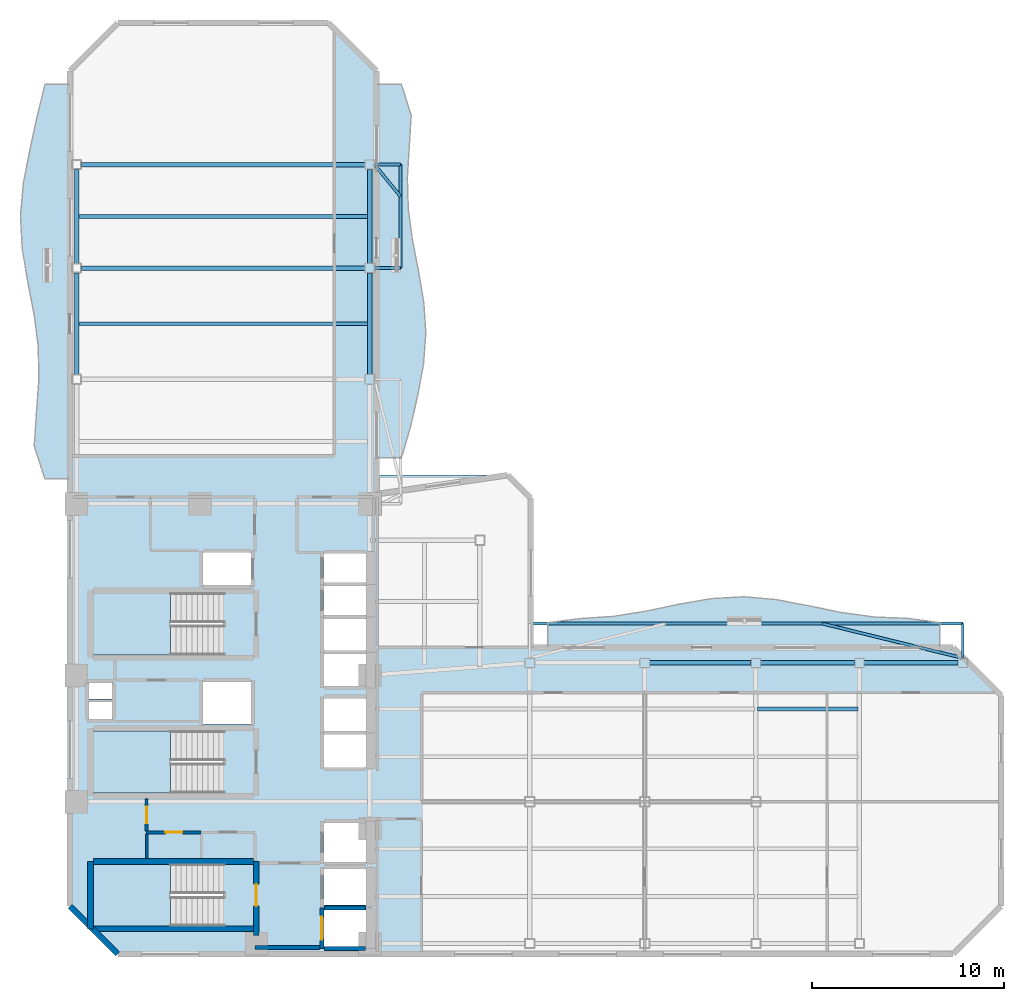
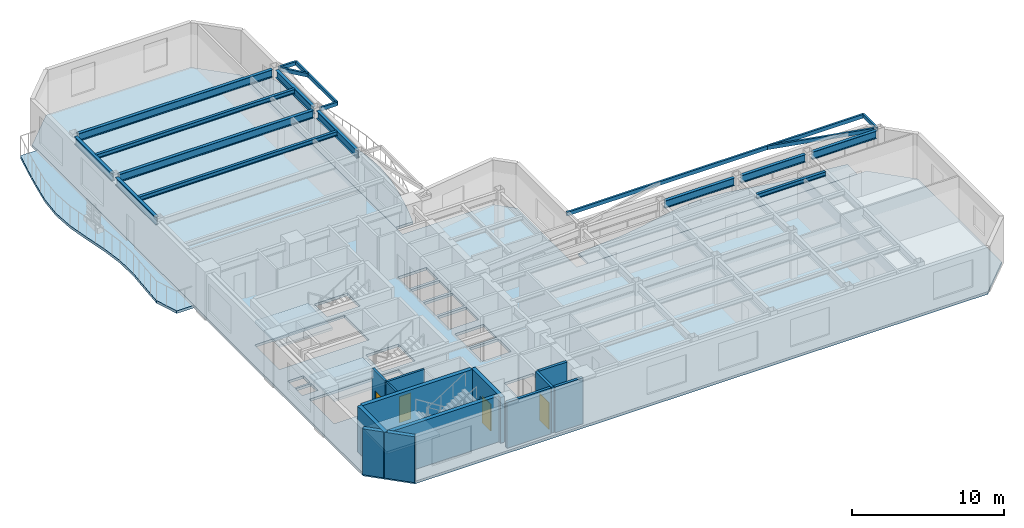
# One storey, part 2 of 9: 19 beams, 12 walls, 7 slabs, 4 doors, 4 openings, 3 elements without a shape of their own.
"""IFC4 building model written with IfcOpenShell, lengths in metres."""

from ifc_helpers import new_model, si_unit, direction, frame, frame_2d, origin, origin_2d, place, context, subcontext, project, spatial, polyline, rectangle, hollow_rectangle, i_section, outline, extrude, material, layer, layer_set, material_profile, profile_set, type_object, element, fill, aggregate, save


model = new_model("IFC4")

# Units and contexts
model_context = context("Model", 3, precision=1e-05, world=origin(), true_north=direction((0.0, 1.0)))
body_context = subcontext(model_context, "Body", "Model", "MODEL_VIEW")
ifc_project = project(units=[si_unit("LENGTHUNIT", "METRE"), si_unit("AREAUNIT", "SQUARE_METRE"), si_unit("VOLUMEUNIT", "CUBIC_METRE"), si_unit("PLANEANGLEUNIT", "RADIAN"), si_unit("MASSUNIT", "GRAM", prefix="KILO")], contexts=[model_context])

# Site, building, storey
site_placement = place(None, origin())
site = spatial("IfcSite", under=ifc_project, at=site_placement, CompositionType="ELEMENT")
building_placement = place(site_placement, origin())
building = spatial("IfcBuilding", under=site, at=building_placement, Name="Mawjaban Terraces University", CompositionType="ELEMENT")
storey_placement = place(building_placement, frame((0.0, 0.0, 146.300048828125)))
storey = spatial("IfcBuildingStorey", under=building, at=storey_placement, Name="L35", CompositionType="ELEMENT", Elevation=146.300048828125)

# Beams
ifc_material_1 = material(Name="Steel EN 10210-1 S355J2H", Category="steel")
ifc_material_profile_1 = material_profile(ifc_material_1, hollow_rectangle(XDim=0.14990234375, YDim=0.300048828125, WallThickness=0.012451171875, at=origin_2d()), Name="RHS300X150X12.5")
ifc_profile_set_1 = profile_set([ifc_material_profile_1], Name="Steel EN 10210-1 S355J2H")
beam_type_1 = type_object("IfcBeamType", Name="BalconyCantileverSpandrel_RHS", PredefinedType="SPANDREL", material=ifc_profile_set_1)
beam_1_placement = place(storey_placement, frame((68.60009765625, 15.449951171875, 3.5400390625), z_axis=(0.0, 1.0, 0.0), x_axis=(-1.0, 0.0, 0.0)))
element("IfcBeam", 1, at=beam_1_placement, inside=storey, type_object=beam_type_1, Name="L35 Exterior Outrigger BAL-L36-N.2", PredefinedType="SPANDREL", context=body_context, shape_type="SweptSolid", body=[
    extrude(hollow_rectangle(XDim=0.14990234375, YDim=0.300048828125, WallThickness=0.012451171875, at=origin_2d()), origin(), (0.0, 0.0, 1.0), 1.800048828125),
])
beam_2_placement = place(storey_placement, frame((46.0, 17.25, 3.5400390625), z_axis=(1.0, 0.0, 0.0), x_axis=(0.0, 1.0, 0.0)))
element("IfcBeam", 2, at=beam_2_placement, inside=storey, type_object=beam_type_1, Name="L35 Exterior Edge Spandrel BAL-L36-N", PredefinedType="SPANDREL", context=body_context, shape_type="SweptSolid", body=[
    extrude(hollow_rectangle(XDim=0.14990234375, YDim=0.300048828125, WallThickness=0.012451171875, at=origin_2d()), origin(), (0.0, 0.0, 1.0), 22.60009765625),
])
beam_3_placement = place(storey_placement, frame((68.60009765625, 15.449951171875, 3.5400390625), z_axis=(-0.971192217353, 0.238297454775, 0.0), x_axis=(-0.238297454775, -0.971192217353, 0.0)))
element("IfcBeam", 3, at=beam_3_placement, inside=storey, type_object=beam_type_1, Name="L35 Exterior Diagonal Strut BAL-L36-N.2", PredefinedType="SPANDREL", context=body_context, shape_type="SweptSolid", body=[
    extrude(hollow_rectangle(XDim=0.14990234375, YDim=0.300048828125, WallThickness=0.012451171875, at=origin_2d()), origin(), (0.0, 0.0, 1.0), 7.5537109375),
])
for number, where, z_axis, x_axis, name in (
    (4, (37.89990234375, 35.800048828125, 3.5400390625), (1.0, 0.0, 0.0), (0.0, 1.0, 0.0), "L35 Exterior Outrigger BAL-L36-E.1"),
    (5, (37.89990234375, 41.199951171875, 3.5400390625), (1.0, 0.0, 0.0), (0.0, 1.0, 0.0), "L35 Exterior Outrigger BAL-L36-E.2"),
):
    element("IfcBeam", number, at=place(storey_placement, frame(where, z_axis=z_axis, x_axis=x_axis)), inside=storey, type_object=beam_type_1, Name=name, PredefinedType="SPANDREL", context=body_context, shape_type="SweptSolid", body=[
        extrude(hollow_rectangle(XDim=0.14990234375, YDim=0.300048828125, WallThickness=0.012451171875, at=origin_2d()), origin(), (0.0, 0.0, 1.0), 1.35009765625),
    ])
beam_4_placement = place(storey_placement, frame((39.25, 35.800048828125, 3.5400390625), z_axis=(0.0, 1.0, 0.0), x_axis=(-1.0, 0.0, 0.0)))
element("IfcBeam", 6, at=beam_4_placement, inside=storey, type_object=beam_type_1, Name="L35 Exterior Edge Spandrel BAL-L36-E", PredefinedType="SPANDREL", context=body_context, shape_type="SweptSolid", body=[
    extrude(hollow_rectangle(XDim=0.14990234375, YDim=0.300048828125, WallThickness=0.012451171875, at=origin_2d()), origin(), (0.0, 0.0, 1.0), 5.39990234375),
])
beam_5_placement = place(storey_placement, frame((37.89990234375, 41.199951171875, 3.5400390625), z_axis=(0.633287678219, -0.773916479096, 0.0), x_axis=(0.773916479096, 0.633287678219, 0.0)))
element("IfcBeam", 7, at=beam_5_placement, inside=storey, type_object=beam_type_1, Name="L35 Exterior Diagonal Strut BAL-L36-E.2", PredefinedType="SPANDREL", context=body_context, shape_type="SweptSolid", body=[
    extrude(hollow_rectangle(XDim=0.14990234375, YDim=0.300048828125, WallThickness=0.012451171875, at=origin_2d()), origin(), (0.0, 0.0, 1.0), 2.1318359375),
])
ifc_material_2 = material(Name="Steel ASTM A572 Grade 50", Category="steel")
ifc_material_profile_2 = material_profile(ifc_material_2, i_section(OverallWidth=0.22998046875, OverallDepth=0.616943359375, WebThickness=0.01318359375, FlangeThickness=0.022216796875, at=origin_2d()), Name="W610X140")
ifc_profile_set_2 = profile_set([ifc_material_profile_2], Name="Steel ASTM A572 Grade 50")
beam_type_2 = type_object("IfcBeamType", Name="Beam_B_W610X140", PredefinedType="BEAM", material=ifc_profile_set_2)
beam_6_placement = place(storey_placement, frame((52.25, 15.199951171875, 3.380859375), z_axis=(1.0, 0.0, 0.0), x_axis=(0.0, 1.0, 0.0)))
element("IfcBeam", 8, at=beam_6_placement, inside=storey, type_object=beam_type_2, Name="L35 Beam BM-L35-EW-09", PredefinedType="BEAM", context=body_context, shape_type="SweptSolid", body=[
    extrude(i_section(OverallWidth=0.22998046875, OverallDepth=0.616943359375, WebThickness=0.01318359375, FlangeThickness=0.022216796875, at=origin_2d()), origin(), (0.0, 0.0, 1.0), 5.300048828125),
])
beam_7_placement = place(storey_placement, frame((58.050048828125, 15.199951171875, 3.380859375), z_axis=(1.0, 0.0, 0.0), x_axis=(0.0, 1.0, 0.0)))
element("IfcBeam", 9, at=beam_7_placement, inside=storey, type_object=beam_type_2, Name="L35 Beam BM-L35-EW-10", PredefinedType="BEAM", context=body_context, shape_type="SweptSolid", body=[
    extrude(i_section(OverallWidth=0.22998046875, OverallDepth=0.616943359375, WebThickness=0.01318359375, FlangeThickness=0.022216796875, at=origin_2d()), origin(), (0.0, 0.0, 1.0), 4.89990234375),
])
beam_8_placement = place(storey_placement, frame((63.449951171875, 15.199951171875, 3.380859375), z_axis=(1.0, 0.0, 0.0), x_axis=(0.0, 1.0, 0.0)))
element("IfcBeam", 10, at=beam_8_placement, inside=storey, type_object=beam_type_2, Name="L35 Beam BM-L35-EW-11", PredefinedType="BEAM", context=body_context, shape_type="SweptSolid", body=[
    extrude(i_section(OverallWidth=0.22998046875, OverallDepth=0.616943359375, WebThickness=0.01318359375, FlangeThickness=0.022216796875, at=origin_2d()), origin(), (0.0, 0.0, 1.0), 4.900146484375),
])
for number, where, z_axis, x_axis, name in (
    (11, (22.60009765625, 35.800048828125, 3.380859375), (1.0, 0.0, 0.0), (0.0, 1.0, 0.0), "L35 Beam BM-L35-EW-15"),
    (12, (22.60009765625, 41.199951171875, 3.380859375), (1.0, 0.0, 0.0), (0.0, 1.0, 0.0), "L35 Beam BM-L35-EW-16"),
):
    element("IfcBeam", number, at=place(storey_placement, frame(where, z_axis=z_axis, x_axis=x_axis)), inside=storey, type_object=beam_type_2, Name=name, PredefinedType="BEAM", context=body_context, shape_type="SweptSolid", body=[
        extrude(i_section(OverallWidth=0.22998046875, OverallDepth=0.616943359375, WebThickness=0.01318359375, FlangeThickness=0.022216796875, at=origin_2d()), origin(), (0.0, 0.0, 1.0), 14.7998046875),
    ])
beam_9_placement = place(storey_placement, frame((22.35009765625, 30.25, 3.380859375), z_axis=(0.0, 1.0, 0.0), x_axis=(-1.0, 0.0, 0.0)))
element("IfcBeam", 13, at=beam_9_placement, inside=storey, type_object=beam_type_2, Name="L35 Beam BM-L35-NS-04", PredefinedType="BEAM", context=body_context, shape_type="SweptSolid", body=[
    extrude(i_section(OverallWidth=0.22998046875, OverallDepth=0.616943359375, WebThickness=0.01318359375, FlangeThickness=0.022216796875, at=origin_2d()), origin(), (0.0, 0.0, 1.0), 5.300048828125),
])
beam_10_placement = place(storey_placement, frame((22.35009765625, 36.050048828125, 3.380859375), z_axis=(0.0, 1.0, 0.0), x_axis=(-1.0, 0.0, 0.0)))
element("IfcBeam", 14, at=beam_10_placement, inside=storey, type_object=beam_type_2, Name="L35 Beam BM-L35-NS-05", PredefinedType="BEAM", context=body_context, shape_type="SweptSolid", body=[
    extrude(i_section(OverallWidth=0.22998046875, OverallDepth=0.616943359375, WebThickness=0.01318359375, FlangeThickness=0.022216796875, at=origin_2d()), origin(), (0.0, 0.0, 1.0), 4.89990234375),
])
beam_11_placement = place(storey_placement, frame((37.64990234375, 30.25, 3.380859375), z_axis=(0.0, 1.0, 0.0), x_axis=(-1.0, 0.0, 0.0)))
element("IfcBeam", 15, at=beam_11_placement, inside=storey, type_object=beam_type_2, Name="L35 Beam BM-L35-NS-10", PredefinedType="BEAM", context=body_context, shape_type="SweptSolid", body=[
    extrude(i_section(OverallWidth=0.22998046875, OverallDepth=0.616943359375, WebThickness=0.01318359375, FlangeThickness=0.022216796875, at=origin_2d()), origin(), (0.0, 0.0, 1.0), 5.300048828125),
])
beam_12_placement = place(storey_placement, frame((37.64990234375, 36.050048828125, 3.380859375), z_axis=(0.0, 1.0, 0.0), x_axis=(-1.0, 0.0, 0.0)))
element("IfcBeam", 16, at=beam_12_placement, inside=storey, type_object=beam_type_2, Name="L35 Beam BM-L35-NS-11", PredefinedType="BEAM", context=body_context, shape_type="SweptSolid", body=[
    extrude(i_section(OverallWidth=0.22998046875, OverallDepth=0.616943359375, WebThickness=0.01318359375, FlangeThickness=0.022216796875, at=origin_2d()), origin(), (0.0, 0.0, 1.0), 4.89990234375),
])
ifc_material_profile_3 = material_profile(ifc_material_2, i_section(OverallWidth=0.202880859375, OverallDepth=0.346923828125, WebThickness=0.0078125, FlangeThickness=0.013427734375, at=origin_2d()), Name="W360X64")
ifc_profile_set_3 = profile_set([ifc_material_profile_3], Name="Steel ASTM A572 Grade 50")
beam_type_3 = type_object("IfcBeamType", Name="Beam_J_W360X64", PredefinedType="JOIST", material=ifc_profile_set_3)
beam_13_placement = place(storey_placement, frame((57.8798828125, 12.800048828125, 3.516845703125), z_axis=(1.0, 0.0, 0.0), x_axis=(0.0, 1.0, 0.0)))
element("IfcBeam", 17, at=beam_13_placement, inside=storey, type_object=beam_type_3, Name="L35 Composite Joist JST-L35-16", PredefinedType="JOIST", context=body_context, shape_type="SweptSolid", body=[
    extrude(i_section(OverallWidth=0.202880859375, OverallDepth=0.346923828125, WebThickness=0.0078125, FlangeThickness=0.013427734375, at=origin_2d()), origin(), (0.0, 0.0, 1.0), 5.240234375),
])
for number, where, z_axis, x_axis, name in (
    (18, (22.429931640625, 32.89990234375, 3.516845703125), (1.0, 0.0, 0.0), (0.0, 1.0, 0.0), "L35 Composite Joist JST-L35-19"),
    (19, (22.429931640625, 38.5, 3.516845703125), (1.0, 0.0, 0.0), (0.0, 1.0, 0.0), "L35 Composite Joist JST-L35-20"),
):
    element("IfcBeam", number, at=place(storey_placement, frame(where, z_axis=z_axis, x_axis=x_axis)), inside=storey, type_object=beam_type_3, Name=name, PredefinedType="JOIST", context=body_context, shape_type="SweptSolid", body=[
        extrude(i_section(OverallWidth=0.202880859375, OverallDepth=0.346923828125, WebThickness=0.0078125, FlangeThickness=0.013427734375, at=origin_2d()), origin(), (0.0, 0.0, 1.0), 15.14013671875),
    ])

# Slabs
ifc_material_3 = material(Name="Concrete C40/50", Category="concrete")
ifc_layer_1 = layer(ifc_material_3, 0.2099609375)
ifc_layer_set_1 = layer_set([ifc_layer_1], Name="Concrete C40/50")
slab_type_1 = type_object("IfcSlabType", Name="BalconySlab_210_Ext", PredefinedType="FLOOR", material=ifc_layer_set_1)
slab_1_placement = place(storey_placement, frame((0.0, 0.0, -0.2099609375)))
element("IfcSlab", 20, at=slab_1_placement, inside=storey, type_object=slab_type_1, Name="L35 Planted Balcony Slab west", PredefinedType="FLOOR", context=body_context, shape_type="SweptSolid", body=[
    extrude(outline(polyline([(22.010009765625, 24.800048828125), (22.010009765625, 45.39990234375), (20.699951171875, 45.39990234375), (20.281982421875, 43.68310546875), (19.909912109375, 41.967041015625), (19.574951171875, 40.25), (19.4189453125, 38.532958984375), (19.510009765625, 36.81689453125), (19.797119140625, 35.10009765625), (20.131103515625, 33.383056640625), (20.35107421875, 31.6669921875), (20.3759765625, 29.949951171875), (20.25, 28.23291015625), (20.138916015625, 26.51708984375), (20.699951171875, 24.800048828125), (22.010009765625, 24.800048828125)])), origin(), (0.0, 0.0, 1.0), 0.2099609375),
])
slab_2_placement = place(storey_placement, frame((0.0, 0.0, -0.2099609375)))
element("IfcSlab", 21, at=slab_2_placement, inside=storey, type_object=slab_type_1, Name="L35 Planted Balcony Slab inner_north", PredefinedType="FLOOR", context=body_context, shape_type="SweptSolid", body=[
    extrude(outline(polyline([(46.946044921875, 15.989990234375), (67.39990234375, 15.989990234375), (67.39990234375, 17.300048828125), (65.696044921875, 17.52392578125), (63.990966796875, 17.592041015625), (62.287109375, 17.822021484375), (60.58203125, 18.1708984375), (58.8779296875, 18.4970703125), (57.173095703125, 18.64794921875), (55.468994140625, 18.552001953125), (53.763916015625, 18.25390625), (52.05908203125, 17.89404296875), (50.35498046875, 17.6240234375), (48.65087890625, 17.511962890625), (46.946044921875, 17.300048828125), (46.946044921875, 15.989990234375)])), origin(), (0.0, 0.0, 1.0), 0.2099609375),
])
slab_3_placement = place(storey_placement, frame((0.0, 0.0, -0.2099609375)))
element("IfcSlab", 22, at=slab_3_placement, inside=storey, type_object=slab_type_1, Name="L35 Planted Balcony Slab inner_east", PredefinedType="FLOOR", context=body_context, shape_type="SweptSolid", body=[
    extrude(outline(polyline([(39.300048828125, 25.89990234375), (39.779052734375, 27.52490234375), (40.14892578125, 29.14990234375), (40.452880859375, 30.77490234375), (40.573974609375, 32.39990234375), (40.468994140625, 34.02490234375), (40.193115234375, 35.64990234375), (39.8759765625, 37.27490234375), (39.657958984375, 38.89990234375), (39.612060546875, 40.52490234375), (39.7099609375, 42.14990234375), (39.81005859375, 43.77490234375), (39.300048828125, 45.39990234375), (37.989990234375, 45.39990234375), (37.989990234375, 25.89990234375), (39.300048828125, 25.89990234375)])), origin(), (0.0, 0.0, 1.0), 0.2099609375),
])
ifc_layer_2 = layer(ifc_material_3, 0.2099609375)
ifc_layer_set_2 = layer_set([ifc_layer_2], Name="Concrete C40/50")
slab_type_2 = type_object("IfcSlabType", Name="CompositeSlab_210", PredefinedType="FLOOR", material=ifc_layer_set_2)
slab_4_placement = place(storey_placement, frame((0.0, 0.0, -0.2099609375)))
element("IfcSlab", 23, at=slab_4_placement, inside=storey, type_object=slab_type_2, Name="L35 Primary Structural Slab", PredefinedType="FLOOR", context=body_context, shape_type="SweptSolid", body=[
    extrude(outline(polyline([(24.5, 0.0), (68.10009765625, 0.0), (70.60009765625, 2.5), (70.60009765625, 13.5), (68.10009765625, 16.0), (46.0458984375, 16.0), (46.0458984375, 23.800048828125), (44.845947265625, 25.0), (38.0, 25.0), (38.0, 46.10009765625), (35.5, 48.60009765625), (24.5, 48.60009765625), (22.0, 46.10009765625), (22.0, 2.5), (24.5, 0.0)]), holes=[polyline([(30.014892578125, 4.699951171875), (23.199951171875, 4.699951171875), (23.199951171875, 1.449951171875), (30.014892578125, 1.449951171875), (30.014892578125, 4.699951171875)]), polyline([(30.014892578125, 18.85009765625), (23.199951171875, 18.85009765625), (23.199951171875, 15.60009765625), (30.014892578125, 15.60009765625), (30.014892578125, 18.85009765625)]), polyline([(30.014892578125, 11.64990234375), (23.199951171875, 11.64990234375), (23.199951171875, 8.39990234375), (30.014892578125, 8.39990234375), (30.014892578125, 11.64990234375)]), polyline([(35.25, 0.39990234375), (37.449951171875, 0.39990234375), (37.449951171875, 2.300048828125), (35.25, 2.300048828125), (35.25, 0.39990234375)]), polyline([(35.25, 2.550048828125), (37.449951171875, 2.550048828125), (37.449951171875, 4.449951171875), (35.25, 4.449951171875), (35.25, 2.550048828125)]), polyline([(35.25, 4.800048828125), (37.449951171875, 4.800048828125), (37.449951171875, 6.85009765625), (35.25, 6.85009765625), (35.25, 4.800048828125)]), polyline([(35.25, 9.75), (37.449951171875, 9.75), (37.449951171875, 11.449951171875), (35.25, 11.449951171875), (35.25, 9.75)]), polyline([(35.25, 11.64990234375), (37.449951171875, 11.64990234375), (37.449951171875, 13.35009765625), (35.25, 13.35009765625), (35.25, 11.64990234375)]), polyline([(28.949951171875, 12.0), (31.449951171875, 12.0), (31.449951171875, 14.199951171875), (28.949951171875, 14.199951171875), (28.949951171875, 12.0)]), polyline([(35.25, 14.0), (37.449951171875, 14.0), (37.449951171875, 15.64990234375), (35.25, 15.64990234375), (35.25, 14.0)]), polyline([(35.25, 15.85009765625), (37.449951171875, 15.85009765625), (37.449951171875, 17.5), (35.25, 17.5), (35.25, 15.85009765625)]), polyline([(35.25, 17.699951171875), (37.449951171875, 17.699951171875), (37.449951171875, 19.199951171875), (35.25, 19.199951171875), (35.25, 17.699951171875)]), polyline([(35.25, 19.39990234375), (37.449951171875, 19.39990234375), (37.449951171875, 20.89990234375), (35.25, 20.89990234375), (35.25, 19.39990234375)]), polyline([(28.949951171875, 19.25), (31.449951171875, 19.25), (31.449951171875, 20.949951171875), (28.949951171875, 20.949951171875), (28.949951171875, 19.25)]), polyline([(23.0, 12.25), (24.199951171875, 12.25), (24.199951171875, 13.14990234375), (23.0, 13.14990234375), (23.0, 12.25)]), polyline([(23.0, 13.300048828125), (24.199951171875, 13.300048828125), (24.199951171875, 14.179931640625), (23.0, 14.179931640625), (23.0, 13.300048828125)])]), origin(), (0.0, 0.0, 1.0), 0.2099609375),
])

# Stair, slab
stair_type = type_object("IfcStairType", Name="Stair_Core1550_H39", PredefinedType="HALF_TURN_STAIR", material=ifc_material_3)
stair_1_placement = place(storey_placement, origin())
stair_1 = element("IfcStair", 24, at=stair_1_placement, inside=storey, type_object=stair_type, Name="L35 Core Exit Stair 1", PredefinedType="HALF_TURN_STAIR")
ifc_layer_3 = layer(ifc_material_3, 0.199951171875)
ifc_layer_set_3 = layer_set([ifc_layer_3], Name="Concrete C40/50")
slab_type_3 = type_object("IfcSlabType", Name="StairLandingSlab_200", PredefinedType="LANDING", material=ifc_layer_set_3)
slab_5_placement = place(storey_placement, frame((0.0, 0.0, 1.75)))
slab_5 = element("IfcSlab", 25, at=slab_5_placement, type_object=slab_type_3, Name="ST-1 landing 1", PredefinedType="LANDING", context=body_context, shape_type="SweptSolid", body=[
    extrude(outline(polyline([(27.25, 4.699951171875), (23.199951171875, 4.699951171875), (23.199951171875, 1.449951171875), (27.25, 1.449951171875), (27.25, 4.699951171875)])), origin(), (0.0, 0.0, 1.0), 0.199951171875),
])
aggregate(stair_1, [slab_5])

stair_2_placement = place(storey_placement, origin())
stair_2 = element("IfcStair", 26, at=stair_2_placement, inside=storey, type_object=stair_type, Name="L35 Core Exit Stair 2", PredefinedType="HALF_TURN_STAIR")
slab_6_placement = place(storey_placement, frame((0.0, 0.0, 1.75)))
slab_6 = element("IfcSlab", 27, at=slab_6_placement, type_object=slab_type_3, Name="ST-2 landing 1", PredefinedType="LANDING", context=body_context, shape_type="SweptSolid", body=[
    extrude(outline(polyline([(27.25, 18.85009765625), (23.199951171875, 18.85009765625), (23.199951171875, 15.60009765625), (27.25, 15.60009765625), (27.25, 18.85009765625)])), origin(), (0.0, 0.0, 1.0), 0.199951171875),
])
aggregate(stair_2, [slab_6])

stair_3_placement = place(storey_placement, origin())
stair_3 = element("IfcStair", 28, at=stair_3_placement, inside=storey, type_object=stair_type, Name="L35 Core Exit Stair 3", PredefinedType="HALF_TURN_STAIR")
slab_7_placement = place(storey_placement, frame((0.0, 0.0, 1.75)))
slab_7 = element("IfcSlab", 29, at=slab_7_placement, type_object=slab_type_3, Name="ST-3 landing 1", PredefinedType="LANDING", context=body_context, shape_type="SweptSolid", body=[
    extrude(outline(polyline([(27.25, 11.64990234375), (23.199951171875, 11.64990234375), (23.199951171875, 8.39990234375), (27.25, 8.39990234375), (27.25, 11.64990234375)])), origin(), (0.0, 0.0, 1.0), 0.199951171875),
])
aggregate(stair_3, [slab_7])

# Wall, opening, door
ifc_material_4 = material(Name="Fire-rated gypsum board on steel stud", Category="steel")
ifc_layer_4 = layer(ifc_material_4, 0.159912109375)
ifc_layer_set_4 = layer_set([ifc_layer_4], Name="Fire-rated gypsum board on steel stud")
wall_type_1 = type_object("IfcWallType", Name="CorridorPartition_160", PredefinedType="PARTITIONING", material=ifc_layer_set_4)
wall_1_placement = place(storey_placement, frame((26.0, 6.35009765625, 0.0), z_axis=(0.0, 0.0, 1.0), x_axis=(1.0, 0.0, 0.0)))
wall_1 = element("IfcWall", 30, at=wall_1_placement, inside=storey, type_object=wall_type_1, Name="L35 Core Washroom Lobby Partition 3", PredefinedType="PARTITIONING", context=body_context, shape_type="SweptSolid", body=[
    extrude(rectangle(XDim=2.85009765625, YDim=0.159912109375, at=frame_2d((1.425048828125, 0.0))), origin(), (0.0, 0.0, 1.0), 3.68994140625),
])
opening_1_placement = place(wall_1_placement, frame((0.985107421875, 0.0, 0.0)))
opening_1 = element("IfcOpeningElement", 31, at=opening_1_placement, cuts=wall_1, Name="Opening ID-088", PredefinedType="OPENING", context=body_context, shape_type="SweptSolid", body=[
    extrude(rectangle(XDim=0.8798828125, YDim=2.10009765625, at=frame_2d((0.43994140625, 1.050048828125))), frame((0.0, 0.08984375, 0.0), z_axis=(0.0, -1.0, 0.0), x_axis=(1.0, 0.0, 0.0)), (0.0, 0.0, 1.0), 0.179931640625),
])
ifc_material_5 = material(Name="Powder-coated steel frame and solid acoustic timber leaf", Category="steel")
door_type_1 = type_object("IfcDoorType", Name="ToiletDoor_880x2100", OperationType="NOTDEFINED", PredefinedType="DOOR", material=ifc_material_5)
door_1_placement = place(opening_1_placement, origin())
door_1 = element("IfcDoor", 32, at=door_1_placement, inside=storey, type_object=door_type_1, Name="L35 Male Toilet Door", OperationType="SINGLE_SWING_RIGHT", OverallHeight=2.10009765625, OverallWidth=0.8798828125, PredefinedType="DOOR", context=body_context, shape_type="SweptSolid", body=[
    extrude(rectangle(XDim=0.8798828125, YDim=2.10009765625, at=frame_2d((0.43994140625, 1.050048828125))), frame((0.0, 0.02490234375, 0.0), z_axis=(0.0, -1.0, 0.0), x_axis=(1.0, 0.0, 0.0)), (0.0, 0.0, 1.0), 0.050048828125),
])
fill(opening_1, door_1)

wall_2_placement = place(storey_placement, frame((26.0, 8.090087890625, 0.0), z_axis=(0.0, 0.0, 1.0), x_axis=(0.0, -1.0, 0.0)))
wall_2 = element("IfcWall", 33, at=wall_2_placement, inside=storey, type_object=wall_type_1, Name="L35 Core Washroom Lobby Partition 24", PredefinedType="PARTITIONING", context=body_context, shape_type="SweptSolid", body=[
    extrude(rectangle(XDim=1.6650390625, YDim=0.159912109375, at=frame_2d((0.83251953125, 0.0))), origin(), (0.0, 0.0, 1.0), 3.68994140625),
])
opening_2_placement = place(wall_2_placement, frame((0.39306640625, 0.0, 0.0)))
opening_2 = element("IfcOpeningElement", 34, at=opening_2_placement, cuts=wall_2, Name="Opening ID-088", PredefinedType="OPENING", context=body_context, shape_type="SweptSolid", body=[
    extrude(rectangle(XDim=0.8798828125, YDim=2.10009765625, at=frame_2d((0.43994140625, 1.050048828125))), frame((0.0, 0.08984375, 0.0), z_axis=(0.0, -1.0, 0.0), x_axis=(1.0, 0.0, 0.0)), (0.0, 0.0, 1.0), 0.179931640625),
])
door_2_placement = place(opening_2_placement, origin())
door_2 = element("IfcDoor", 35, at=door_2_placement, inside=storey, type_object=door_type_1, Name="L35 Ablution Room Door", OperationType="SINGLE_SWING_LEFT", OverallHeight=2.10009765625, OverallWidth=0.8798828125, PredefinedType="DOOR", context=body_context, shape_type="SweptSolid", body=[
    extrude(rectangle(XDim=0.8798828125, YDim=2.10009765625, at=frame_2d((0.43994140625, 1.050048828125))), frame((0.0, 0.02490234375, 0.0), z_axis=(0.0, -1.0, 0.0), x_axis=(1.0, 0.0, 0.0)), (0.0, 0.0, 1.0), 0.050048828125),
])
fill(opening_2, door_2)

# Wall
ifc_material_6 = material(Name="Insulated terracotta rainscreen on concrete backup C40/50", Category="masonry")
ifc_layer_5 = layer(ifc_material_6, 0.300048828125)
ifc_layer_set_5 = layer_set([ifc_layer_5], Name="Insulated terracotta rainscreen on concrete backup C40/50")
wall_type_2 = type_object("IfcWallType", Name="ExtTerracottaWall_300", PredefinedType="SOLIDWALL", material=ifc_layer_set_5)
wall_3_placement = place(storey_placement, frame((22.0, 2.5, 0.0), z_axis=(0.0, 0.0, 1.0), x_axis=(0.707106781187, -0.707106781187, 0.0)))
element("IfcWall", 36, at=wall_3_placement, inside=storey, type_object=wall_type_2, Name="L35 Exterior Terracotta Wall 14", PredefinedType="SOLIDWALL", context=body_context, shape_type="SweptSolid", body=[
    extrude(rectangle(XDim=3.53564453125, YDim=0.300048828125, at=frame_2d((1.767822265625, 0.0))), origin(), (0.0, 0.0, 1.0), 3.68994140625),
])

# Wall, opening, door
ifc_layer_6 = layer(ifc_material_3, 0.199951171875)
ifc_layer_set_6 = layer_set([ifc_layer_6], Name="Concrete C40/50")
wall_type_3 = type_object("IfcWallType", Name="FireLobbyWall_200", PredefinedType="SOLIDWALL", material=ifc_layer_set_6)
wall_4_placement = place(storey_placement, frame((35.14990234375, 2.39990234375, 0.0), z_axis=(0.0, 0.0, 1.0), x_axis=(0.0, -1.0, 0.0)))
wall_4 = element("IfcWall", 37, at=wall_4_placement, inside=storey, type_object=wall_type_3, Name="L35 Lift FL-1 Hoistway Wall West", PredefinedType="SOLIDWALL", context=body_context, shape_type="SweptSolid", body=[
    extrude(rectangle(XDim=2.099853515625, YDim=0.199951171875, at=frame_2d((1.0498046875, 0.0))), origin(), (0.0, 0.0, 1.0), 3.68994140625),
])
opening_3_placement = place(wall_4_placement, frame((0.449951171875, 0.0, 0.0)))
opening_3 = element("IfcOpeningElement", 38, at=opening_3_placement, cuts=wall_4, Name="Opening LD-FL-1", PredefinedType="OPENING", context=body_context, shape_type="SweptSolid", body=[
    extrude(rectangle(XDim=1.199951171875, YDim=2.14990234375, at=frame_2d((0.60009765625, 1.074951171875))), frame((0.0, 0.10986328125, 0.0), z_axis=(0.0, -1.0, 0.0), x_axis=(1.0, 0.0, 0.0)), (0.0, 0.0, 1.0), 0.219970703125),
])
ifc_material_7 = material(Name="Powder-coated steel frame and fire-rated steel-faced leaf", Category="steel")
door_type_2 = type_object("IfcDoorType", Name="LiftLandingFSAE_1200x2150", OperationType="NOTDEFINED", PredefinedType="DOOR", material=ifc_material_7)
door_3_placement = place(opening_3_placement, origin())
door_3 = element("IfcDoor", 39, at=door_3_placement, inside=storey, type_object=door_type_2, Name="L35 Lift FL-1 Sliding Landing Door", OperationType="DOUBLE_DOOR_SLIDING", OverallHeight=2.14990234375, OverallWidth=1.199951171875, PredefinedType="DOOR", context=body_context, shape_type="SweptSolid", body=[
    extrude(rectangle(XDim=1.199951171875, YDim=2.14990234375, at=frame_2d((0.60009765625, 1.074951171875))), frame((0.0, 0.02490234375, 0.0), z_axis=(0.0, -1.0, 0.0), x_axis=(1.0, 0.0, 0.0)), (0.0, 0.0, 1.0), 0.050048828125),
])
fill(opening_3, door_3)

# Walls
for number, where, z_axis, x_axis, name in (
    (40, (35.280029296875, 0.300048828125, 0.0), (0.0, 0.0, 1.0), (1.0, 0.0, 0.0), "L35 Lift FL-1 Hoistway Wall South"),
    (41, (37.419921875, 2.39990234375, 0.0), (0.0, 0.0, 1.0), (-1.0, 0.0, 0.0), "L35 Lift FL-1 Hoistway Wall North"),
):
    element("IfcWall", number, at=place(storey_placement, frame(where, z_axis=z_axis, x_axis=x_axis)), inside=storey, type_object=wall_type_3, Name=name, PredefinedType="SOLIDWALL", context=body_context, shape_type="SweptSolid", body=[
        extrude(rectangle(XDim=2.139892578125, YDim=0.199951171875, at=frame_2d((1.06982421875, 0.0))), origin(), (0.0, 0.0, 1.0), 3.68994140625),
    ])
wall_5_placement = place(storey_placement, frame((31.64990234375, 0.35009765625, 0.0), z_axis=(0.0, 0.0, 1.0), x_axis=(1.0, 0.0, 0.0)))
element("IfcWall", 42, at=wall_5_placement, inside=storey, type_object=wall_type_3, Name="L35 Firefighting Lift Lobby Partition 7", PredefinedType="SOLIDWALL", context=body_context, shape_type="SweptSolid", body=[
    extrude(rectangle(XDim=3.3701171875, YDim=0.199951171875, at=frame_2d((1.68505859375, 0.0))), origin(), (0.0, 0.0, 1.0), 3.68994140625),
])
ifc_material_8 = material(Name="Concrete C60/75", Category="concrete")
ifc_layer_7 = layer(ifc_material_8, 0.300048828125)
ifc_layer_set_7 = layer_set([ifc_layer_7], Name="Concrete C60/75")
wall_type_4 = type_object("IfcWallType", Name="StairShaftWall_300", PredefinedType="SHEAR", material=ifc_layer_set_7)
wall_6_placement = place(storey_placement, frame((31.580078125, 4.830078125, 0.0), z_axis=(0.0, 0.0, 1.0), x_axis=(-1.0, 0.0, 0.0)))
element("IfcWall", 43, at=wall_6_placement, inside=storey, type_object=wall_type_4, Name="L35 ST-1 Stair Shaft Wall 1", PredefinedType="SHEAR", context=body_context, shape_type="SweptSolid", body=[
    extrude(rectangle(XDim=8.360107421875, YDim=0.300048828125, at=frame_2d((4.18017578125, 0.0))), origin(), (0.0, 0.0, 1.0), 3.68994140625),
])
wall_7_placement = place(storey_placement, frame((23.070068359375, 4.830078125, 0.0), z_axis=(0.0, 0.0, 1.0), x_axis=(0.0, -1.0, 0.0)))
element("IfcWall", 44, at=wall_7_placement, inside=storey, type_object=wall_type_4, Name="L35 ST-1 Stair Shaft Wall 2", PredefinedType="SHEAR", context=body_context, shape_type="SweptSolid", body=[
    extrude(rectangle(XDim=3.510009765625, YDim=0.300048828125, at=frame_2d((1.7548828125, 0.0))), origin(), (0.0, 0.0, 1.0), 3.68994140625),
])
wall_8_placement = place(storey_placement, frame((23.219970703125, 1.320068359375, 0.0), z_axis=(0.0, 0.0, 1.0), x_axis=(1.0, 0.0, 0.0)))
element("IfcWall", 45, at=wall_8_placement, inside=storey, type_object=wall_type_4, Name="L35 ST-1 Stair Shaft Wall 3", PredefinedType="SHEAR", context=body_context, shape_type="SweptSolid", body=[
    extrude(rectangle(XDim=8.360107421875, YDim=0.300048828125, at=frame_2d((4.18017578125, 0.0))), origin(), (0.0, 0.0, 1.0), 3.68994140625),
])

# Wall, opening, door
wall_9_placement = place(storey_placement, frame((31.72998046875, 0.9599609375, 0.0), z_axis=(0.0, 0.0, 1.0), x_axis=(0.0, 1.0, 0.0)))
wall_9 = element("IfcWall", 46, at=wall_9_placement, inside=storey, type_object=wall_type_4, Name="L35 ST-1 Stair Shaft Wall 4", PredefinedType="SHEAR", context=body_context, shape_type="SweptSolid", body=[
    extrude(rectangle(XDim=3.8701171875, YDim=0.300048828125, at=frame_2d((1.93505859375, 0.0))), origin(), (0.0, 0.0, 1.0), 3.68994140625),
])
opening_4_placement = place(wall_9_placement, frame((1.5400390625, 0.0, 0.0)))
opening_4 = element("IfcOpeningElement", 47, at=opening_4_placement, cuts=wall_9, Name="Opening FD-115", PredefinedType="OPENING", context=body_context, shape_type="SweptSolid", body=[
    extrude(rectangle(XDim=1.14990234375, YDim=2.14990234375, at=frame_2d((0.574951171875, 1.074951171875))), frame((0.0, 0.159912109375, 0.0), z_axis=(0.0, -1.0, 0.0), x_axis=(1.0, 0.0, 0.0)), (0.0, 0.0, 1.0), 0.320068359375),
])
door_type_3 = type_object("IfcDoorType", Name="FireStairDoor_1150x2150", OperationType="NOTDEFINED", PredefinedType="DOOR", material=ifc_material_7)
door_4_placement = place(opening_4_placement, origin())
door_4 = element("IfcDoor", 48, at=door_4_placement, inside=storey, type_object=door_type_3, Name="L35 ST-1 Pressurised Stair Fire Door", OperationType="SINGLE_SWING_LEFT", OverallHeight=2.14990234375, OverallWidth=1.14990234375, PredefinedType="DOOR", context=body_context, shape_type="SweptSolid", body=[
    extrude(rectangle(XDim=1.14990234375, YDim=2.14990234375, at=frame_2d((0.574951171875, 1.074951171875))), frame((0.0, 0.02490234375, 0.0), z_axis=(0.0, -1.0, 0.0), x_axis=(1.0, 0.0, 0.0)), (0.0, 0.0, 1.0), 0.050048828125),
])
fill(opening_4, door_4)

# Wall
ifc_material_9 = material(Name="Cement-board wet-room partition", Category="masonry")
ifc_layer_8 = layer(ifc_material_9, 0.135009765625)
ifc_layer_set_8 = layer_set([ifc_layer_8], Name="Cement-board wet-room partition")
wall_type_5 = type_object("IfcWallType", Name="WetRoomPartition_135", PredefinedType="PARTITIONING", material=ifc_layer_set_8)
wall_10_placement = place(storey_placement, frame((26.0, 5.010009765625, 0.0), z_axis=(0.0, 0.0, 1.0), x_axis=(0.0, 1.0, 0.0)))
element("IfcWall", 49, at=wall_10_placement, inside=storey, type_object=wall_type_5, Name="L35 Ablution Room Partition 23", PredefinedType="PARTITIONING", context=body_context, shape_type="SweptSolid", body=[
    extrude(rectangle(XDim=1.264892578125, YDim=0.135009765625, at=frame_2d((0.63232421875, 0.0))), origin(), (0.0, 0.0, 1.0), 3.68994140625),
])

save(model, "model.ifc")
